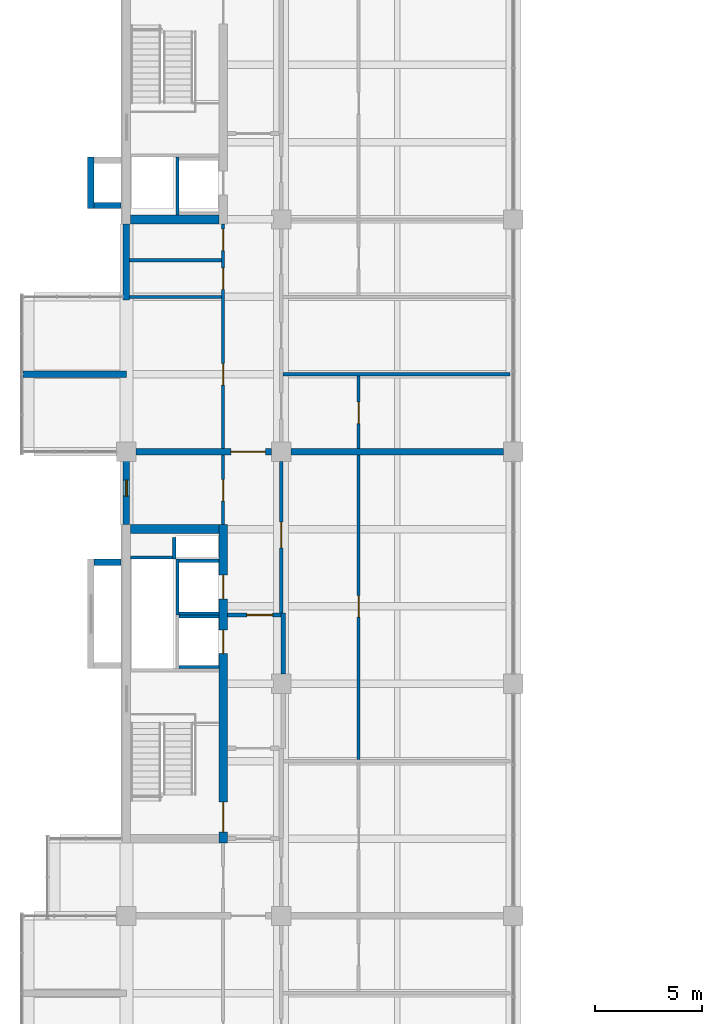
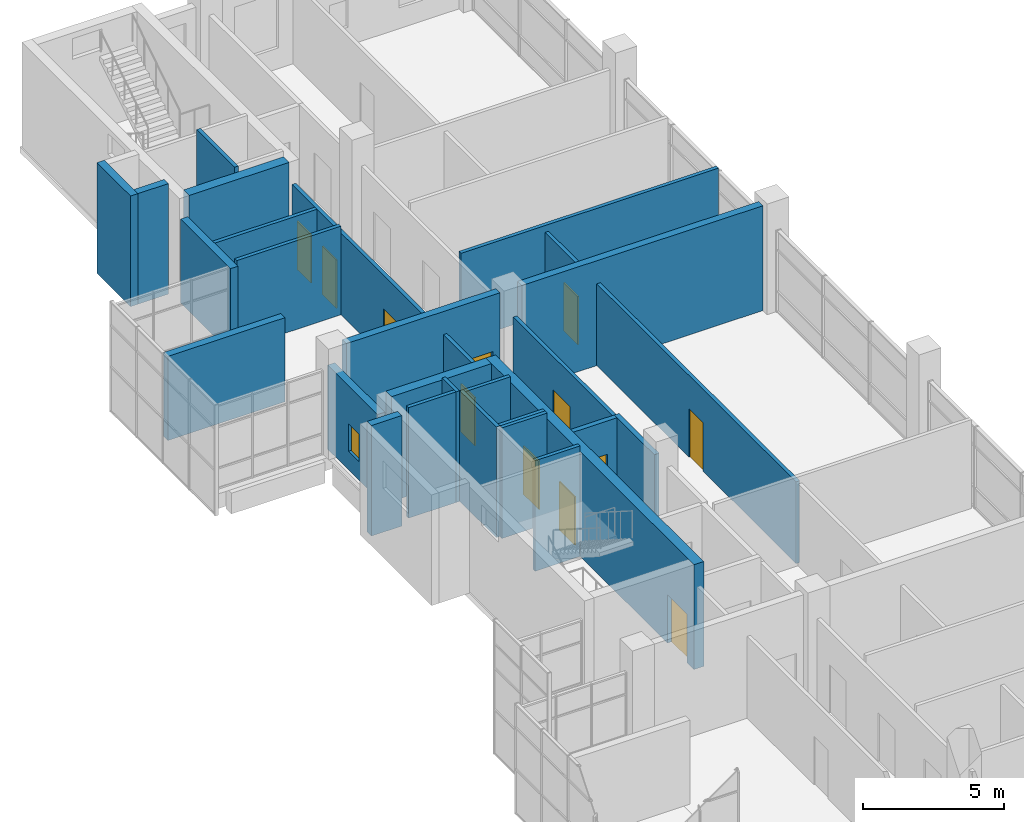
# One storey, part 17 of 23: 29 walls, 12 doors, 1 window, 13 openings.
"""IFC4 building model written with IfcOpenShell, lengths in metres."""

import ifcopenshell
import ifcopenshell.guid

model = None  # the IFC model being written
_history = None  # IfcOwnerHistory: only IFC2X3 demands one
_inside = {}  # id of a spatial element -> (the spatial element, [elements in it])
_under = {}  # id of a project, library or spatial element -> (it, [spatial elements below it])
_declared = {}  # id of a project -> (the project, [libraries it declares])
_typed = {}  # id of a type object -> (the type object, [elements of that type])
_made_of = {}  # id of a material, layer set ... -> (it, [elements and type objects made of it])


def new_model(schema):
    """Start an empty IFC model of exactly this schema.

    Asked for "IFC4X3", IfcOpenShell would pick the latest addendum, in which some entities
    have other attributes; the version numbers below select the first issue.
    IFC2X3 requires an IfcOwnerHistory on every rooted entity: one is made here for all.
    """
    global model, _history
    if schema == "IFC4X3":
        model = ifcopenshell.file(schema_version=(4, 3, 0, 0))
    else:
        model = ifcopenshell.file(schema=schema)
    _inside.clear()
    _under.clear()
    _declared.clear()
    _typed.clear()
    _made_of.clear()
    _history = None
    if model.schema == "IFC2X3":
        org = make("IfcOrganization", Name="unknown")
        user = make(
            "IfcPersonAndOrganization",
            ThePerson=make("IfcPerson", FamilyName="unknown"),
            TheOrganization=org,
        )
        app = make(
            "IfcApplication",
            ApplicationDeveloper=org,
            Version="unknown",
            ApplicationFullName="unknown",
            ApplicationIdentifier="unknown",
        )
        _history = make(
            "IfcOwnerHistory",
            OwningUser=user,
            OwningApplication=app,
            ChangeAction="ADDED",
            CreationDate=0,
        )
    return model


def make(cls, **values):
    """One entity of the class cls with the attributes given. An attribute that is None is left unset."""
    return model.create_entity(
        cls, **{name: value for name, value in values.items() if value is not None}
    )


def rooted(cls, **values):
    """An entity with a GlobalId (a new one), such as an element, a storey or a relation."""
    return make(cls, GlobalId=ifcopenshell.guid.new(), OwnerHistory=_history, **values)


def si_unit(unit_type, name, prefix=None):
    """IfcSIUnit, for example si_unit("LENGTHUNIT", "METRE", prefix="MILLI")."""
    return make("IfcSIUnit", UnitType=unit_type, Prefix=prefix, Name=name)


def assignment(units):
    """IfcUnitAssignment: the units of a project."""
    return None if units is None else make("IfcUnitAssignment", Units=units)


def point(xyz):
    """IfcCartesianPoint."""
    return None if xyz is None else make("IfcCartesianPoint", Coordinates=xyz)


def direction(xyz):
    """IfcDirection."""
    return None if xyz is None else make("IfcDirection", DirectionRatios=xyz)


def frame(location, z_axis=None, x_axis=None):
    """IfcAxis2Placement3D, a coordinate frame: its origin and axes. An axis left out is left unset."""
    return make(
        "IfcAxis2Placement3D",
        Location=point(location),
        Axis=direction(z_axis),
        RefDirection=direction(x_axis),
    )


def frame_2d(location, x_axis=None):
    """IfcAxis2Placement2D, a coordinate frame in the plane: its origin and x axis."""
    return make(
        "IfcAxis2Placement2D", Location=point(location), RefDirection=direction(x_axis)
    )


def origin():
    """The frame at (0, 0, 0) with its axes left unset."""
    return frame((0.0, 0.0, 0.0))


def place(relative_to, where):
    """IfcLocalPlacement: puts the frame where relative to a parent placement (None: the world)."""
    return make(
        "IfcLocalPlacement", PlacementRelTo=relative_to, RelativePlacement=where
    )


def context(
    kind, dimensions, precision=None, world=None, true_north=None, identifier=None
):
    """IfcGeometricRepresentationContext, for example the 3D "Model" context."""
    return make(
        "IfcGeometricRepresentationContext",
        ContextIdentifier=identifier,
        ContextType=kind,
        CoordinateSpaceDimension=dimensions,
        Precision=precision,
        WorldCoordinateSystem=world,
        TrueNorth=true_north,
    )


def subcontext(parent, identifier, kind, view, scale=None):
    """IfcGeometricRepresentationSubContext, for example "Body" below "Model"."""
    return make(
        "IfcGeometricRepresentationSubContext",
        ContextIdentifier=identifier,
        ContextType=kind,
        ParentContext=parent,
        TargetScale=scale,
        TargetView=view,
    )


def project(units=None, contexts=None):
    """IfcProject with its units and contexts."""
    return rooted(
        "IfcProject",
        Name="project",
        RepresentationContexts=contexts,
        UnitsInContext=assignment(units),
    )


def spatial(cls, under=None, at=None, **own):
    """A site, building, storey or space (cls), placed at a placement, below another one or the project."""
    s = rooted(cls, ObjectPlacement=at, **own)
    if under is not None:
        _under.setdefault(under.id(), (under, []))[1].append(s)
    return s


def profile(cls, at=None, kind="AREA", **sizes):
    """A parametric profile (cls). Its sizes go by their IFC names, for example OverallWidth=200.0."""
    return make(cls, ProfileType=kind, Position=at, **sizes)


def rectangle(**sizes):
    """IfcRectangleProfileDef."""
    return profile("IfcRectangleProfileDef", **sizes)


def extrude(swept, where, along, depth):
    """IfcExtrudedAreaSolid: the profile swept, set in the frame where, extruded along a direction by depth."""
    return make(
        "IfcExtrudedAreaSolid",
        SweptArea=swept,
        Position=where,
        ExtrudedDirection=direction(along),
        Depth=depth,
    )


def shape(context_of_items, identifier, shape_type, items):
    """IfcShapeRepresentation: the items that make up one representation, for example the "Body"."""
    return make(
        "IfcShapeRepresentation",
        ContextOfItems=context_of_items,
        RepresentationIdentifier=identifier,
        RepresentationType=shape_type,
        Items=items,
    )


def material(Name=None, Category=None):
    """IfcMaterial."""
    return make("IfcMaterial", Name=Name, Category=Category)


def layer(
    of_material, thickness, ventilated=None, Name=None, Category=None, Priority=None
):
    """IfcMaterialLayer: one layer of a wall or slab, of a material (None: an air gap)."""
    return make(
        "IfcMaterialLayer",
        Material=of_material,
        LayerThickness=thickness,
        IsVentilated=ventilated,
        Name=Name,
        Category=Category,
        Priority=Priority,
    )


def layer_set(layers, Name=None):
    """IfcMaterialLayerSet."""
    return make("IfcMaterialLayerSet", MaterialLayers=layers, LayerSetName=Name)


def made_of(thing, what):
    """Note that an element or type object is made of a material, layer set ...; save() writes the relation."""
    if what is not None:
        _made_of.setdefault(what.id(), (what, []))[1].append(thing)
    return thing


def type_object(cls, material=None, **own):
    """A type object (cls), such as IfcWallType, which elements share."""
    return made_of(rooted(cls, **own), material)


def element(
    cls,
    number,
    at=None,
    inside=None,
    cuts=None,
    type_object=None,
    material=None,
    context=None,
    identifier="Body",
    shape_type=None,
    held_by="IfcProductDefinitionShape",
    body=None,
    shapes=None,
    **own,
):
    """One element of the class cls, such as IfcWall. Its Tag is "e" and its number.

    at: its placement. inside: the storey or other place that contains it. cuts: it is an
    opening in that element (IfcRelVoidsElement). A single representation is given by context,
    identifier, shape_type and body (its items); several are given by shapes. held_by: the class
    of the entity that holds the representations. save() writes the other relations.
    """
    e = rooted(cls, Tag="e%d" % number, ObjectPlacement=at, **own)
    if body is not None:
        shapes = [shape(context, identifier, shape_type, body)]
    if shapes is not None:
        e.Representation = make(held_by, Representations=shapes)
    if inside is not None:
        _inside.setdefault(inside.id(), (inside, []))[1].append(e)
    if cuts is not None:
        rooted(
            "IfcRelVoidsElement", RelatingBuildingElement=cuts, RelatedOpeningElement=e
        )
    if type_object is not None:
        _typed.setdefault(type_object.id(), (type_object, []))[1].append(e)
    return made_of(e, material)


def fill(opening, filler):
    """IfcRelFillsElement: the door or window that sits in an opening."""
    return rooted(
        "IfcRelFillsElement",
        RelatingOpeningElement=opening,
        RelatedBuildingElement=filler,
    )


def aggregate(whole, parts):
    """IfcRelAggregates: a whole, such as a stair, and the parts it consists of."""
    return rooted("IfcRelAggregates", RelatingObject=whole, RelatedObjects=parts)


def save(model, path):
    """Write the relations noted so far, then the file.

    IfcRelAggregates (storeys below a building ...), IfcRelContainedInSpatialStructure (elements
    in a storey), IfcRelDefinesByType, IfcRelAssociatesMaterial and IfcRelDeclares: one each for
    every whole, place, type object, material and project.
    """
    for whole, parts in _under.values():
        aggregate(whole, parts)
    for where, things in _inside.values():
        rooted(
            "IfcRelContainedInSpatialStructure",
            RelatedElements=things,
            RelatingStructure=where,
        )
    for kind, things in _typed.values():
        rooted("IfcRelDefinesByType", RelatedObjects=things, RelatingType=kind)
    for what, things in _made_of.values():
        rooted("IfcRelAssociatesMaterial", RelatedObjects=things, RelatingMaterial=what)
    for by, libraries in _declared.values():
        rooted("IfcRelDeclares", RelatingContext=by, RelatedDefinitions=libraries)
    model.write(path)


model = new_model("IFC4")

# Units and contexts
model_context = context("Model", 3, precision=1e-05, world=origin(), true_north=direction((0.0, 1.0)))
body_context = subcontext(model_context, "Body", "Model", "MODEL_VIEW")
ifc_project = project(units=[si_unit("LENGTHUNIT", "METRE"), si_unit("AREAUNIT", "SQUARE_METRE"), si_unit("VOLUMEUNIT", "CUBIC_METRE"), si_unit("PLANEANGLEUNIT", "RADIAN"), si_unit("MASSUNIT", "GRAM", prefix="KILO")], contexts=[model_context])

# Site, building, storey
site_placement = place(None, origin())
site = spatial("IfcSite", under=ifc_project, at=site_placement, CompositionType="ELEMENT")
building_placement = place(site_placement, origin())
building = spatial("IfcBuilding", under=site, at=building_placement, Name="Basin Gate Institute", CompositionType="ELEMENT")
storey_placement = place(building_placement, frame((0.0, 0.0, 46.199951171875)))
storey = spatial("IfcBuildingStorey", under=building, at=storey_placement, Name="L09", CompositionType="ELEMENT", Elevation=46.199951171875)

# Wall
ifc_material_1 = material(Name="Aluminium-faced insulated panel wall", Category="aluminium")
ifc_layer_1 = layer(ifc_material_1, 0.300048828125)
ifc_layer_set_1 = layer_set([ifc_layer_1], Name="Capsule side wall EW2 EI 120")
wall_type_1 = type_object("IfcWallType", Name="Capsule side wall EW2 EI 120", PredefinedType="STANDARD", material=ifc_layer_set_1)
wall_1_placement = place(storey_placement, frame((56.39990234375, 81.89990234375, 0.0), z_axis=(0.0, 0.0, 1.0), x_axis=(1.0, 0.0, 0.0)))
element("IfcWall", 1, at=wall_1_placement, inside=storey, type_object=wall_type_1, material=ifc_layer_set_1, Name="Capsule side wall W wing L09 line 14", PredefinedType="STANDARD", context=body_context, shape_type="SweptSolid", body=[
    extrude(rectangle(XDim=4.800048828125, YDim=0.300048828125, at=frame_2d((2.39990234375, 0.0))), origin(), (0.0, 0.0, 1.0), 3.650146484375),
])

# Wall, opening, door
ifc_material_2 = material(Name="Fire-rated masonry", Category="masonry")
ifc_layer_2 = layer(ifc_material_2, 0.199951171875)
ifc_layer_set_2 = layer_set([ifc_layer_2], Name="Enclosure wall PW2 200 EI 60")
wall_type_2 = type_object("IfcWallType", Name="Enclosure wall PW2 200 EI 60", PredefinedType="PARTITIONING", material=ifc_layer_set_2)
wall_2_placement = place(storey_placement, frame((65.89990234375, 70.699951171875, 0.0), z_axis=(0.0, 0.0, 1.0), x_axis=(1.0, 0.0, 0.0)))
wall_2 = element("IfcWall", 2, at=wall_2_placement, inside=storey, type_object=wall_type_2, material=ifc_layer_set_2, Name="Emergency lift lobby wall PW2 L09", PredefinedType="PARTITIONING", context=body_context, shape_type="SweptSolid", body=[
    extrude(rectangle(XDim=2.5, YDim=0.199951171875, at=frame_2d((1.25, 0.0))), origin(), (0.0, 0.0, 1.0), 3.550048828125),
])
opening_1_placement = place(wall_2_placement, frame((0.89990234375, 0.0, 0.0)))
opening_1 = element("IfcOpeningElement", 3, at=opening_1_placement, cuts=wall_2, Name="Opening DR433", PredefinedType="OPENING", context=body_context, shape_type="SweptSolid", body=[
    extrude(rectangle(XDim=1.199951171875, YDim=2.10009765625, at=frame_2d((0.60009765625, 1.050048828125))), frame((0.0, 0.10986328125, 0.0), z_axis=(0.0, -1.0, 0.0), x_axis=(1.0, 0.0, 0.0)), (0.0, 0.0, 1.0), 0.219970703125),
])
ifc_material_3 = material(Name="Steel fire door", Category="steel")
door_type_1 = type_object("IfcDoorType", Name="FD60 Emergency lift lobby door D9", OperationType="NOTDEFINED", PredefinedType="DOOR", material=ifc_material_3)
door_1_placement = place(opening_1_placement, frame((1.199951171875, 0.0, 0.0), z_axis=(0.0, 0.0, 1.0), x_axis=(-1.0, 0.0, 0.0)))
door_1 = element("IfcDoor", 4, at=door_1_placement, inside=storey, type_object=door_type_1, material=ifc_material_3, Name="Emergency lift lobby door LF1 L09", OperationType="SINGLE_SWING_LEFT", OverallHeight=2.10009765625, OverallWidth=1.199951171875, PredefinedType="DOOR", context=body_context, shape_type="SweptSolid", body=[
    extrude(rectangle(XDim=1.199951171875, YDim=2.10009765625, at=frame_2d((0.60009765625, 1.050048828125))), frame((0.0, 0.02490234375, 0.0), z_axis=(0.0, -1.0, 0.0), x_axis=(1.0, 0.0, 0.0)), (0.0, 0.0, 1.0), 0.050048828125),
])
fill(opening_1, door_1)

# Wall
wall_3_placement = place(storey_placement, frame((68.5, 67.949951171875, 0.0), z_axis=(0.0, 0.0, 1.0), x_axis=(0.0, 1.0, 0.0)))
element("IfcWall", 5, at=wall_3_placement, inside=storey, type_object=wall_type_2, material=ifc_layer_set_2, Name="Emergency lift lobby wall PW2 L09", PredefinedType="PARTITIONING", context=body_context, shape_type="SweptSolid", body=[
    extrude(rectangle(XDim=2.85009765625, YDim=0.199951171875, at=frame_2d((1.425048828125, 0.0))), origin(), (0.0, 0.0, 1.0), 3.550048828125),
])

# Wall, opening, window
ifc_material_4 = material(Name="Aluminium-faced insulated panel wall", Category="aluminium")
ifc_layer_3 = layer(ifc_material_4, 0.300048828125)
ifc_layer_set_3 = layer_set([ifc_layer_3], Name="External wall EW1 EI 120")
wall_type_3 = type_object("IfcWallType", Name="External wall EW1 EI 120", PredefinedType="STANDARD", material=ifc_layer_set_3)
wall_4_placement = place(storey_placement, frame((61.199951171875, 74.89990234375, 0.0), z_axis=(0.0, 0.0, 1.0), x_axis=(0.0, 1.0, 0.0)))
wall_4 = element("IfcWall", 6, at=wall_4_placement, inside=storey, type_object=wall_type_3, material=ifc_layer_set_3, Name="External wall W facade L09 1", PredefinedType="STANDARD", context=body_context, shape_type="SweptSolid", body=[
    extrude(rectangle(XDim=3.550048828125, YDim=0.300048828125, at=frame_2d((1.77490234375, 0.0))), origin(), (0.0, 0.0, 1.0), 3.650146484375),
])
opening_2_placement = place(wall_4_placement, frame((1.324951171875, 0.0, 0.800048828125)))
opening_2 = element("IfcOpeningElement", 7, at=opening_2_placement, cuts=wall_4, Name="Opening WN3", PredefinedType="OPENING", context=body_context, shape_type="SweptSolid", body=[
    extrude(rectangle(XDim=0.75, YDim=1.199951171875, at=frame_2d((0.375, 0.60009765625))), frame((0.0, 0.16015625, 0.0), z_axis=(0.0, -1.0, 0.0), x_axis=(1.0, 0.0, 0.0)), (0.0, 0.0, 1.0), 0.320068359375),
])
ifc_material_5 = material(Name="Aluminium-framed double glazing", Category="aluminium")
window_type = type_object("IfcWindowType", Name="Emergency entry panel WN3", PartitioningType="SINGLE_PANEL", PredefinedType="WINDOW", material=ifc_material_5)
window_placement = place(opening_2_placement, origin())
window = element("IfcWindow", 8, at=window_placement, inside=storey, type_object=window_type, material=ifc_material_5, Name="Emergency entry panel W facade L09 bay 12", OverallHeight=1.199951171875, OverallWidth=0.75, PartitioningType="SINGLE_PANEL", PredefinedType="WINDOW", context=body_context, shape_type="SweptSolid", body=[
    extrude(rectangle(XDim=0.75, YDim=1.199951171875, at=frame_2d((0.375, 0.60009765625))), frame((0.0, 0.030029296875, 0.0), z_axis=(0.0, -1.0, 0.0), x_axis=(1.0, 0.0, 0.0)), (0.0, 0.0, 1.0), 0.06005859375),
])
fill(opening_2, window)

# Wall
wall_5_placement = place(storey_placement, frame((61.199951171875, 85.35009765625, 0.0), z_axis=(0.0, 0.0, 1.0), x_axis=(0.0, 1.0, 0.0)))
element("IfcWall", 9, at=wall_5_placement, inside=storey, type_object=wall_type_3, material=ifc_layer_set_3, Name="External wall W facade L09 2", PredefinedType="STANDARD", context=body_context, shape_type="SweptSolid", body=[
    extrude(rectangle(XDim=3.5498046875, YDim=0.300048828125, at=frame_2d((1.77490234375, 0.0))), origin(), (0.0, 0.0, 1.0), 3.650146484375),
])

# Wall, opening, door
ifc_material_6 = material(Name="Gypsum board on steel stud", Category="steel")
ifc_layer_4 = layer(ifc_material_6, 0.14990234375)
ifc_layer_set_4 = layer_set([ifc_layer_4], Name="Gypsum board on steel stud")
wall_type_4 = type_object("IfcWallType", Name="Partition PW1 150 EI 60", PredefinedType="PARTITIONING", material=ifc_layer_set_4)
wall_6_placement = place(storey_placement, frame((65.699951171875, 74.89990234375, 0.0), z_axis=(0.0, 0.0, 1.0), x_axis=(0.0, 1.0, 0.0)))
wall_6 = element("IfcWall", 10, at=wall_6_placement, inside=storey, type_object=wall_type_4, material=ifc_layer_set_4, Name="Corridor wall PW1 L09", PredefinedType="PARTITIONING", context=body_context, shape_type="SweptSolid", body=[
    extrude(rectangle(XDim=3.25, YDim=0.14990234375, at=frame_2d((1.625, 0.0))), origin(), (0.0, 0.0, 1.0), 3.550048828125),
])
opening_3_placement = place(wall_6_placement, frame((1.10009765625, 0.0, 0.0)))
opening_3 = element("IfcOpeningElement", 11, at=opening_3_placement, cuts=wall_6, Name="Opening DR418", PredefinedType="OPENING", context=body_context, shape_type="SweptSolid", body=[
    extrude(rectangle(XDim=1.0, YDim=2.10009765625, at=frame_2d((0.5, 1.050048828125))), frame((0.0, 0.0849609375, 0.0), z_axis=(0.0, -1.0, 0.0), x_axis=(1.0, 0.0, 0.0)), (0.0, 0.0, 1.0), 0.169921875),
])
ifc_material_7 = material(Name="Timber fire door", Category="wood")
door_type_2 = type_object("IfcDoorType", Name="FD30 Toilet door D3", OperationType="NOTDEFINED", PredefinedType="DOOR", material=ifc_material_7)
door_2_placement = place(opening_3_placement, origin())
door_2 = element("IfcDoor", 12, at=door_2_placement, inside=storey, type_object=door_type_2, material=ifc_material_7, Name="Door to Female WC L09", OperationType="SINGLE_SWING_LEFT", OverallHeight=2.10009765625, OverallWidth=1.0, PredefinedType="DOOR", context=body_context, shape_type="SweptSolid", body=[
    extrude(rectangle(XDim=1.0, YDim=2.10009765625, at=frame_2d((0.5, 1.050048828125))), frame((0.0, 0.02490234375, 0.0), z_axis=(0.0, -1.0, 0.0), x_axis=(1.0, 0.0, 0.0)), (0.0, 0.0, 1.0), 0.050048828125),
])
fill(opening_3, door_2)

# Wall, openings, doors
wall_7_placement = place(storey_placement, frame((65.699951171875, 78.449951171875, 0.0), z_axis=(0.0, 0.0, 1.0), x_axis=(0.0, 1.0, 0.0)))
wall_7 = element("IfcWall", 13, at=wall_7_placement, inside=storey, type_object=wall_type_4, material=ifc_layer_set_4, Name="Corridor wall PW1 L09", PredefinedType="PARTITIONING", context=body_context, shape_type="SweptSolid", body=[
    extrude(rectangle(XDim=10.449951171875, YDim=0.14990234375, at=frame_2d((5.22509765625, 0.0))), origin(), (0.0, 0.0, 1.0), 3.550048828125),
])
opening_4_placement = place(wall_7_placement, frame((7.39990234375, 0.0, 0.0)))
opening_4 = element("IfcOpeningElement", 14, at=opening_4_placement, cuts=wall_7, Name="Opening DR417", PredefinedType="OPENING", context=body_context, shape_type="SweptSolid", body=[
    extrude(rectangle(XDim=1.0, YDim=2.10009765625, at=frame_2d((0.5, 1.050048828125))), frame((0.0, 0.0849609375, 0.0), z_axis=(0.0, -1.0, 0.0), x_axis=(1.0, 0.0, 0.0)), (0.0, 0.0, 1.0), 0.169921875),
])
opening_5_placement = place(wall_7_placement, frame((9.199951171875, 0.0, 0.0)))
opening_5 = element("IfcOpeningElement", 15, at=opening_5_placement, cuts=wall_7, Name="Opening DR430", PredefinedType="OPENING", context=body_context, shape_type="SweptSolid", body=[
    extrude(rectangle(XDim=1.0, YDim=2.10009765625, at=frame_2d((0.5, 1.050048828125))), frame((0.0, 0.0849609375, 0.0), z_axis=(0.0, -1.0, 0.0), x_axis=(1.0, 0.0, 0.0)), (0.0, 0.0, 1.0), 0.169921875),
])
opening_6_placement = place(wall_7_placement, frame((2.949951171875, 0.0, 0.0)))
opening_6 = element("IfcOpeningElement", 16, at=opening_6_placement, cuts=wall_7, Name="Opening DR432", PredefinedType="OPENING", context=body_context, shape_type="SweptSolid", body=[
    extrude(rectangle(XDim=1.0, YDim=2.10009765625, at=frame_2d((0.5, 1.050048828125))), frame((0.0, 0.0849609375, 0.0), z_axis=(0.0, -1.0, 0.0), x_axis=(1.0, 0.0, 0.0)), (0.0, 0.0, 1.0), 0.169921875),
])
ifc_material_8 = material(Name="Timber fire door", Category="wood")
door_type_3 = type_object("IfcDoorType", Name="FD30 Office door D1", OperationType="NOTDEFINED", PredefinedType="DOOR", material=ifc_material_8)
door_3_placement = place(opening_6_placement, origin())
door_3 = element("IfcDoor", 17, at=door_3_placement, inside=storey, type_object=door_type_3, material=ifc_material_8, Name="Door to Write-up Office 0904 L09", OperationType="SINGLE_SWING_LEFT", OverallHeight=2.10009765625, OverallWidth=1.0, PredefinedType="DOOR", context=body_context, shape_type="SweptSolid", body=[
    extrude(rectangle(XDim=1.0, YDim=2.10009765625, at=frame_2d((0.5, 1.050048828125))), frame((0.0, 0.02490234375, 0.0), z_axis=(0.0, -1.0, 0.0), x_axis=(1.0, 0.0, 0.0)), (0.0, 0.0, 1.0), 0.050048828125),
])
fill(opening_6, door_3)
door_4_placement = place(opening_4_placement, origin())
door_4 = element("IfcDoor", 18, at=door_4_placement, inside=storey, type_object=door_type_2, material=ifc_material_7, Name="Door to Accessible WC L09", OperationType="SINGLE_SWING_RIGHT", OverallHeight=2.10009765625, OverallWidth=1.0, PredefinedType="DOOR", context=body_context, shape_type="SweptSolid", body=[
    extrude(rectangle(XDim=1.0, YDim=2.10009765625, at=frame_2d((0.5, 1.050048828125))), frame((0.0, 0.02490234375, 0.0), z_axis=(0.0, -1.0, 0.0), x_axis=(1.0, 0.0, 0.0)), (0.0, 0.0, 1.0), 0.050048828125),
])
fill(opening_4, door_4)
door_5_placement = place(opening_5_placement, origin())
door_5 = element("IfcDoor", 19, at=door_5_placement, inside=storey, type_object=door_type_2, material=ifc_material_7, Name="Door to Male WC L09", OperationType="SINGLE_SWING_RIGHT", OverallHeight=2.10009765625, OverallWidth=1.0, PredefinedType="DOOR", context=body_context, shape_type="SweptSolid", body=[
    extrude(rectangle(XDim=1.0, YDim=2.10009765625, at=frame_2d((0.5, 1.050048828125))), frame((0.0, 0.02490234375, 0.0), z_axis=(0.0, -1.0, 0.0), x_axis=(1.0, 0.0, 0.0)), (0.0, 0.0, 1.0), 0.050048828125),
])
fill(opening_5, door_5)

# Wall, opening, door
wall_8_placement = place(storey_placement, frame((68.39990234375, 70.800048828125, 0.0), z_axis=(0.0, 0.0, 1.0), x_axis=(0.0, 1.0, 0.0)))
wall_8 = element("IfcWall", 20, at=wall_8_placement, inside=storey, type_object=wall_type_4, material=ifc_layer_set_4, Name="Laboratory corridor wall PW1 L09", PredefinedType="PARTITIONING", context=body_context, shape_type="SweptSolid", body=[
    extrude(rectangle(XDim=7.050048828125, YDim=0.14990234375, at=frame_2d((3.52490234375, 0.0))), origin(), (0.0, 0.0, 1.0), 3.550048828125),
])
opening_7_placement = place(wall_8_placement, frame((3.02490234375, 0.0, 0.0)))
opening_7 = element("IfcOpeningElement", 21, at=opening_7_placement, cuts=wall_8, Name="Opening DR423", PredefinedType="OPENING", context=body_context, shape_type="SweptSolid", body=[
    extrude(rectangle(XDim=1.199951171875, YDim=2.10009765625, at=frame_2d((0.60009765625, 1.050048828125))), frame((0.0, 0.0849609375, 0.0), z_axis=(0.0, -1.0, 0.0), x_axis=(1.0, 0.0, 0.0)), (0.0, 0.0, 1.0), 0.169921875),
])
ifc_material_9 = material(Name="Timber fire door", Category="wood")
door_type_4 = type_object("IfcDoorType", Name="FD30 Laboratory door D2", OperationType="DOUBLE_DOOR_SINGLE_SWING", PredefinedType="DOOR", material=ifc_material_9)
door_6_placement = place(opening_7_placement, frame((1.199951171875, 0.0, 0.0), z_axis=(0.0, 0.0, 1.0), x_axis=(-1.0, 0.0, 0.0)))
door_6 = element("IfcDoor", 22, at=door_6_placement, inside=storey, type_object=door_type_4, material=ifc_material_9, Name="Door to Gowning Airlock 0924 L09", OperationType="DOUBLE_DOOR_SINGLE_SWING", OverallHeight=2.10009765625, OverallWidth=1.199951171875, PredefinedType="DOOR", context=body_context, shape_type="SweptSolid", body=[
    extrude(rectangle(XDim=1.199951171875, YDim=2.10009765625, at=frame_2d((0.60009765625, 1.050048828125))), frame((0.0, 0.02490234375, 0.0), z_axis=(0.0, -1.0, 0.0), x_axis=(1.0, 0.0, 0.0)), (0.0, 0.0, 1.0), 0.050048828125),
])
fill(opening_7, door_6)

wall_9_placement = place(storey_placement, frame((72.0, 63.97509765625, 0.0), z_axis=(0.0, 0.0, 1.0), x_axis=(0.0, 1.0, 0.0)))
wall_9 = element("IfcWall", 23, at=wall_9_placement, inside=storey, type_object=wall_type_4, material=ifc_layer_set_4, Name="Clean room wall PW1 L09", PredefinedType="PARTITIONING", context=body_context, shape_type="SweptSolid", body=[
    extrude(rectangle(XDim=14.1748046875, YDim=0.14990234375, at=frame_2d((7.08740234375, 0.0))), origin(), (0.0, 0.0, 1.0), 3.550048828125),
])
opening_8_placement = place(wall_9_placement, frame((6.625, 0.0, 0.0)))
opening_8 = element("IfcOpeningElement", 24, at=opening_8_placement, cuts=wall_9, Name="Opening DR415", PredefinedType="OPENING", context=body_context, shape_type="SweptSolid", body=[
    extrude(rectangle(XDim=1.0, YDim=2.10009765625, at=frame_2d((0.5, 1.050048828125))), frame((0.0, 0.0849609375, 0.0), z_axis=(0.0, -1.0, 0.0), x_axis=(1.0, 0.0, 0.0)), (0.0, 0.0, 1.0), 0.169921875),
])
ifc_material_10 = material(Name="Steel fire door", Category="steel")
door_type_5 = type_object("IfcDoorType", Name="FD30 Airlock door D5", OperationType="NOTDEFINED", PredefinedType="DOOR", material=ifc_material_10)
door_7_placement = place(opening_8_placement, frame((1.0, 0.0, 0.0), z_axis=(0.0, 0.0, 1.0), x_axis=(-1.0, 0.0, 0.0)))
door_7 = element("IfcDoor", 25, at=door_7_placement, inside=storey, type_object=door_type_5, material=ifc_material_10, Name="Clean room entry door Clean Room ISO 7 0924 L09", OperationType="SINGLE_SWING_RIGHT", OverallHeight=2.10009765625, OverallWidth=1.0, PredefinedType="DOOR", context=body_context, shape_type="SweptSolid", body=[
    extrude(rectangle(XDim=1.0, YDim=2.10009765625, at=frame_2d((0.5, 1.050048828125))), frame((0.0, 0.02490234375, 0.0), z_axis=(0.0, -1.0, 0.0), x_axis=(1.0, 0.0, 0.0)), (0.0, 0.0, 1.0), 0.050048828125),
])
fill(opening_8, door_7)

wall_10_placement = place(storey_placement, frame((72.0, 78.449951171875, 0.0), z_axis=(0.0, 0.0, 1.0), x_axis=(0.0, 1.0, 0.0)))
wall_10 = element("IfcWall", 26, at=wall_10_placement, inside=storey, type_object=wall_type_4, material=ifc_layer_set_4, Name="Clean room wall PW1 L09", PredefinedType="PARTITIONING", context=body_context, shape_type="SweptSolid", body=[
    extrude(rectangle(XDim=3.375, YDim=0.14990234375, at=frame_2d((1.6875, 0.0))), origin(), (0.0, 0.0, 1.0), 3.550048828125),
])
opening_9_placement = place(wall_10_placement, frame((1.14990234375, 0.0, 0.0)))
opening_9 = element("IfcOpeningElement", 27, at=opening_9_placement, cuts=wall_10, Name="Opening DR411", PredefinedType="OPENING", context=body_context, shape_type="SweptSolid", body=[
    extrude(rectangle(XDim=1.0, YDim=2.10009765625, at=frame_2d((0.5, 1.050048828125))), frame((0.0, 0.0849609375, 0.0), z_axis=(0.0, -1.0, 0.0), x_axis=(1.0, 0.0, 0.0)), (0.0, 0.0, 1.0), 0.169921875),
])
door_8_placement = place(opening_9_placement, frame((1.0, 0.0, 0.0), z_axis=(0.0, 0.0, 1.0), x_axis=(-1.0, 0.0, 0.0)))
door_8 = element("IfcDoor", 28, at=door_8_placement, inside=storey, type_object=door_type_5, material=ifc_material_10, Name="Clean room entry door Clean Room ISO 6 0926 L09", OperationType="SINGLE_SWING_RIGHT", OverallHeight=2.10009765625, OverallWidth=1.0, PredefinedType="DOOR", context=body_context, shape_type="SweptSolid", body=[
    extrude(rectangle(XDim=1.0, YDim=2.10009765625, at=frame_2d((0.5, 1.050048828125))), frame((0.0, 0.02490234375, 0.0), z_axis=(0.0, -1.0, 0.0), x_axis=(1.0, 0.0, 0.0)), (0.0, 0.0, 1.0), 0.050048828125),
])
fill(opening_9, door_8)

# Walls
wall_11_placement = place(storey_placement, frame((68.47509765625, 81.89990234375, 0.0), z_axis=(0.0, 0.0, 1.0), x_axis=(1.0, 0.0, 0.0)))
element("IfcWall", 29, at=wall_11_placement, inside=storey, type_object=wall_type_4, material=ifc_layer_set_4, Name="Clean room wall PW1 L09", PredefinedType="PARTITIONING", context=body_context, shape_type="SweptSolid", body=[
    extrude(rectangle(XDim=10.574951171875, YDim=0.14990234375, at=frame_2d((5.28759765625, 0.0))), origin(), (0.0, 0.0, 1.0), 3.85009765625),
])
ifc_material_11 = material(Name="Gypsum board on steel stud", Category="steel")
ifc_layer_5 = layer(ifc_material_11, 0.14990234375)
ifc_layer_set_5 = layer_set([ifc_layer_5], Name="Gypsum board on steel stud")
wall_type_5 = type_object("IfcWallType", Name="Partition PW4 150", PredefinedType="PARTITIONING", material=ifc_layer_set_5)
wall_12_placement = place(storey_placement, frame((61.35009765625, 85.5, 0.0), z_axis=(0.0, 0.0, 1.0), x_axis=(1.0, 0.0, 0.0)))
element("IfcWall", 30, at=wall_12_placement, inside=storey, type_object=wall_type_5, material=ifc_layer_set_5, Name="Toilet partition PW4 L09", PredefinedType="PARTITIONING", context=body_context, shape_type="SweptSolid", body=[
    extrude(rectangle(XDim=4.27490234375, YDim=0.14990234375, at=frame_2d((2.137451171875, 0.0))), origin(), (0.0, 0.0, 1.0), 3.85009765625),
])
wall_13_placement = place(storey_placement, frame((61.35009765625, 87.199951171875, 0.0), z_axis=(0.0, 0.0, 1.0), x_axis=(1.0, 0.0, 0.0)))
element("IfcWall", 31, at=wall_13_placement, inside=storey, type_object=wall_type_5, material=ifc_layer_set_5, Name="Toilet partition PW4 L09", PredefinedType="PARTITIONING", context=body_context, shape_type="SweptSolid", body=[
    extrude(rectangle(XDim=4.27490234375, YDim=0.14990234375, at=frame_2d((2.137451171875, 0.0))), origin(), (0.0, 0.0, 1.0), 3.550048828125),
])
ifc_material_12 = material(Name="Concrete 40 MPa", Category="concrete")
ifc_layer_6 = layer(ifc_material_12, 0.14990234375)
ifc_layer_set_6 = layer_set([ifc_layer_6], Name="Concrete 40 MPa")
wall_type_6 = type_object("IfcWallType", Name="Wall LS1 lift shaft enclosure R120", PredefinedType="SOLIDWALL", material=ifc_layer_set_6)
for number, where, z_axis, x_axis, name in (
    (32, (63.64990234375, 68.27490234375, 0.0), (0.0, 0.0, 1.0), (1.0, 0.0, 0.0), "Lift shaft enclosure LF1 L09 RL"),
    (33, (63.64990234375, 70.625, 0.0), (0.0, 0.0, 1.0), (1.0, 0.0, 0.0), "Lift shaft enclosure LF1 L09 RH"),
):
    element("IfcWall", number, at=place(storey_placement, frame(where, z_axis=z_axis, x_axis=x_axis)), inside=storey, type_object=wall_type_6, material=ifc_layer_set_6, Name=name, PredefinedType="SOLIDWALL", context=body_context, shape_type="SweptSolid", body=[
        extrude(rectangle(XDim=1.85009765625, YDim=0.14990234375, at=frame_2d((0.925048828125, 0.0))), origin(), (0.0, 0.0, 1.0), 4.800048828125),
    ])
wall_14_placement = place(storey_placement, frame((63.574951171875, 70.699951171875, 0.0), z_axis=(0.0, 0.0, 1.0), x_axis=(0.0, 1.0, 0.0)))
element("IfcWall", 34, at=wall_14_placement, inside=storey, type_object=wall_type_6, material=ifc_layer_set_6, Name="Lift shaft enclosure LP2 L09 UL", PredefinedType="SOLIDWALL", context=body_context, shape_type="SweptSolid", body=[
    extrude(rectangle(XDim=2.60009765625, YDim=0.14990234375, at=frame_2d((1.300048828125, 0.0))), origin(), (0.0, 0.0, 1.0), 4.800048828125),
])
for number, where, z_axis, x_axis, name in (
    (35, (63.64990234375, 70.77490234375, 0.0), (0.0, 0.0, 1.0), (1.0, 0.0, 0.0), "Lift shaft enclosure LP2 L09 RL"),
    (36, (63.64990234375, 73.22509765625, 0.0), (0.0, 0.0, 1.0), (1.0, 0.0, 0.0), "Lift shaft enclosure LP2 L09 RH"),
):
    element("IfcWall", number, at=place(storey_placement, frame(where, z_axis=z_axis, x_axis=x_axis)), inside=storey, type_object=wall_type_6, material=ifc_layer_set_6, Name=name, PredefinedType="SOLIDWALL", context=body_context, shape_type="SweptSolid", body=[
        extrude(rectangle(XDim=1.85009765625, YDim=0.14990234375, at=frame_2d((0.925048828125, 0.0))), origin(), (0.0, 0.0, 1.0), 4.800048828125),
    ])
wall_15_placement = place(storey_placement, frame((63.574951171875, 92.0, 0.0), z_axis=(0.0, 0.0, 1.0), x_axis=(0.0, -1.0, 0.0)))
element("IfcWall", 37, at=wall_15_placement, inside=storey, type_object=wall_type_6, material=ifc_layer_set_6, Name="Lift shaft enclosure LP3 L09 UL", PredefinedType="SOLIDWALL", context=body_context, shape_type="SweptSolid", body=[
    extrude(rectangle(XDim=2.699951171875, YDim=0.14990234375, at=frame_2d((1.35009765625, 0.0))), origin(), (0.0, 0.0, 1.0), 4.800048828125),
])
ifc_material_13 = material(Name="Concrete 40 MPa", Category="concrete")
ifc_layer_7 = layer(ifc_material_13, 0.14990234375)
ifc_layer_set_7 = layer_set([ifc_layer_7], Name="Concrete 40 MPa")
wall_type_7 = type_object("IfcWallType", Name="Wall RS1 riser shaft enclosure R120", PredefinedType="SOLIDWALL", material=ifc_layer_set_7)
wall_16_placement = place(storey_placement, frame((61.39990234375, 73.375, 0.0), z_axis=(0.0, 0.0, 1.0), x_axis=(1.0, 0.0, 0.0)))
element("IfcWall", 38, at=wall_16_placement, inside=storey, type_object=wall_type_7, material=ifc_layer_set_7, Name="Riser shaft enclosure WM L09 N", PredefinedType="SOLIDWALL", context=body_context, shape_type="SweptSolid", body=[
    extrude(rectangle(XDim=1.9501953125, YDim=0.14990234375, at=frame_2d((0.97509765625, 0.0))), origin(), (0.0, 0.0, 1.0), 4.800048828125),
])
wall_17_placement = place(storey_placement, frame((63.425048828125, 73.300048828125, 0.0), z_axis=(0.0, 0.0, 1.0), x_axis=(0.0, 1.0, 0.0)))
element("IfcWall", 39, at=wall_17_placement, inside=storey, type_object=wall_type_7, material=ifc_layer_set_7, Name="Riser shaft enclosure WM L09 W", PredefinedType="SOLIDWALL", context=body_context, shape_type="SweptSolid", body=[
    extrude(rectangle(XDim=1.0, YDim=0.14990234375, at=frame_2d((0.5, 0.0))), origin(), (0.0, 0.0, 1.0), 4.800048828125),
])
ifc_material_14 = material(Name="Concrete 50 MPa", Category="concrete")
ifc_layer_8 = layer(ifc_material_14, 0.300048828125)
ifc_layer_set_8 = layer_set([ifc_layer_8], Name="Concrete 50 MPa")
wall_type_8 = type_object("IfcWallType", Name="Wall SK1 R120", PredefinedType="SHEAR", material=ifc_layer_set_8)
wall_18_placement = place(storey_placement, frame((60.949951171875, 73.14990234375, 0.0), z_axis=(0.0, 0.0, 1.0), x_axis=(-1.0, 0.0, 0.0)))
element("IfcWall", 40, at=wall_18_placement, inside=storey, type_object=wall_type_8, material=ifc_layer_set_8, Name="Spine riser stack wall SK1 WM B L09", PredefinedType="SHEAR", context=body_context, shape_type="SweptSolid", body=[
    extrude(rectangle(XDim=1.25, YDim=0.300048828125, at=frame_2d((0.625, 0.0))), origin(), (0.0, 0.0, 1.0), 4.800048828125),
])
wall_19_placement = place(storey_placement, frame((59.550048828125, 89.60009765625, 0.0), z_axis=(0.0, 0.0, 1.0), x_axis=(0.0, 1.0, 0.0)))
element("IfcWall", 41, at=wall_19_placement, inside=storey, type_object=wall_type_8, material=ifc_layer_set_8, Name="Spine riser stack wall SK1 WN F L09", PredefinedType="SHEAR", context=body_context, shape_type="SweptSolid", body=[
    extrude(rectangle(XDim=2.39990234375, YDim=0.300048828125, at=frame_2d((1.199951171875, 0.0))), origin(), (0.0, 0.0, 1.0), 4.800048828125),
])
wall_20_placement = place(storey_placement, frame((60.949951171875, 89.75, 0.0), z_axis=(0.0, 0.0, 1.0), x_axis=(-1.0, 0.0, 0.0)))
element("IfcWall", 42, at=wall_20_placement, inside=storey, type_object=wall_type_8, material=ifc_layer_set_8, Name="Spine riser stack wall SK1 WN A L09", PredefinedType="SHEAR", context=body_context, shape_type="SweptSolid", body=[
    extrude(rectangle(XDim=1.25, YDim=0.300048828125, at=frame_2d((0.625, 0.0))), origin(), (0.0, 0.0, 1.0), 4.800048828125),
])

# Wall, openings, doors
ifc_material_15 = material(Name="Concrete 50 MPa", Category="concrete")
ifc_layer_9 = layer(ifc_material_15, 0.39990234375)
ifc_layer_set_9 = layer_set([ifc_layer_9], Name="Concrete 50 MPa")
wall_type_9 = type_object("IfcWallType", Name="Wall SW2 R120", PredefinedType="SHEAR", material=ifc_layer_set_9)
wall_21_placement = place(storey_placement, frame((65.699951171875, 60.10009765625, 0.0), z_axis=(0.0, 0.0, 1.0), x_axis=(0.0, 1.0, 0.0)))
wall_21 = element("IfcWall", 43, at=wall_21_placement, inside=storey, type_object=wall_type_9, material=ifc_layer_set_9, Name="WALL/L09/WM/C", PredefinedType="SHEAR", context=body_context, shape_type="SweptSolid", body=[
    extrude(rectangle(XDim=14.7998046875, YDim=0.39990234375, at=frame_2d((7.39990234375, 0.0))), origin(), (0.0, 0.0, 1.0), 4.550048828125),
])
opening_10_placement = place(wall_21_placement, frame((0.5, 0.0, 0.0)))
opening_10 = element("IfcOpeningElement", 44, at=opening_10_placement, cuts=wall_21, Name="Opening DS056", PredefinedType="OPENING", context=body_context, shape_type="SweptSolid", body=[
    extrude(rectangle(XDim=1.39990234375, YDim=2.10009765625, at=frame_2d((0.699951171875, 1.050048828125))), frame((0.0, 0.2099609375, 0.0), z_axis=(0.0, -1.0, 0.0), x_axis=(1.0, 0.0, 0.0)), (0.0, 0.0, 1.0), 0.419921875),
])
opening_11_placement = place(wall_21_placement, frame((8.800048828125, 0.0, 0.0)))
opening_11 = element("IfcOpeningElement", 45, at=opening_11_placement, cuts=wall_21, Name="Opening LD029", PredefinedType="OPENING", context=body_context, shape_type="SweptSolid", body=[
    extrude(rectangle(XDim=1.10009765625, YDim=2.10009765625, at=frame_2d((0.550048828125, 1.050048828125))), frame((0.0, 0.2099609375, 0.0), z_axis=(0.0, -1.0, 0.0), x_axis=(1.0, 0.0, 0.0)), (0.0, 0.0, 1.0), 0.419921875),
])
opening_12_placement = place(wall_21_placement, frame((11.35009765625, 0.0, 0.0)))
opening_12 = element("IfcOpeningElement", 46, at=opening_12_placement, cuts=wall_21, Name="Opening LD047", PredefinedType="OPENING", context=body_context, shape_type="SweptSolid", body=[
    extrude(rectangle(XDim=1.10009765625, YDim=2.10009765625, at=frame_2d((0.550048828125, 1.050048828125))), frame((0.0, 0.2099609375, 0.0), z_axis=(0.0, -1.0, 0.0), x_axis=(1.0, 0.0, 0.0)), (0.0, 0.0, 1.0), 0.419921875),
])
ifc_material_16 = material(Name="Steel fire door", Category="steel")
door_type_6 = type_object("IfcDoorType", Name="FD30 Stair enclosure door DS", OperationType="DOUBLE_DOOR_SINGLE_SWING", PredefinedType="DOOR", material=ifc_material_16)
door_9_placement = place(opening_10_placement, origin())
door_9 = element("IfcDoor", 47, at=door_9_placement, inside=storey, type_object=door_type_6, material=ifc_material_16, Name="Stair enclosure door ST-WM L09", OperationType="DOUBLE_DOOR_SINGLE_SWING", OverallHeight=2.10009765625, OverallWidth=1.39990234375, PredefinedType="DOOR", context=body_context, shape_type="SweptSolid", body=[
    extrude(rectangle(XDim=1.39990234375, YDim=2.10009765625, at=frame_2d((0.699951171875, 1.050048828125))), frame((0.0, 0.02490234375, 0.0), z_axis=(0.0, -1.0, 0.0), x_axis=(1.0, 0.0, 0.0)), (0.0, 0.0, 1.0), 0.050048828125),
])
fill(opening_10, door_9)
ifc_material_17 = material(Name="Stainless steel", Category="steel")
door_type_7 = type_object("IfcDoorType", Name="FD60 Lift landing door LD", OperationType="SLIDING_TO_LEFT", PredefinedType="DOOR", material=ifc_material_17)
door_10_placement = place(opening_11_placement, origin())
door_10 = element("IfcDoor", 48, at=door_10_placement, inside=storey, type_object=door_type_7, material=ifc_material_17, Name="Lift landing door LF1 L09", OperationType="SLIDING_TO_LEFT", OverallHeight=2.10009765625, OverallWidth=1.10009765625, PredefinedType="DOOR", context=body_context, shape_type="SweptSolid", body=[
    extrude(rectangle(XDim=1.10009765625, YDim=2.10009765625, at=frame_2d((0.550048828125, 1.050048828125))), frame((0.0, 0.02490234375, 0.0), z_axis=(0.0, -1.0, 0.0), x_axis=(1.0, 0.0, 0.0)), (0.0, 0.0, 1.0), 0.050048828125),
])
fill(opening_11, door_10)
door_11_placement = place(opening_12_placement, origin())
door_11 = element("IfcDoor", 49, at=door_11_placement, inside=storey, type_object=door_type_7, material=ifc_material_17, Name="Lift landing door LP2 L09", OperationType="SLIDING_TO_LEFT", OverallHeight=2.10009765625, OverallWidth=1.10009765625, PredefinedType="DOOR", context=body_context, shape_type="SweptSolid", body=[
    extrude(rectangle(XDim=1.10009765625, YDim=2.10009765625, at=frame_2d((0.550048828125, 1.050048828125))), frame((0.0, 0.02490234375, 0.0), z_axis=(0.0, -1.0, 0.0), x_axis=(1.0, 0.0, 0.0)), (0.0, 0.0, 1.0), 0.050048828125),
])
fill(opening_12, door_11)

# Walls
for number, where, z_axis, x_axis, name in (
    (50, (61.39990234375, 74.699951171875, 0.0), (0.0, 0.0, 1.0), (1.0, 0.0, 0.0), "WALL/L09/WM/N"),
    (51, (61.39990234375, 89.10009765625, 0.0), (0.0, 0.0, 1.0), (1.0, 0.0, 0.0), "WALL/L09/WN/S"),
):
    element("IfcWall", number, at=place(storey_placement, frame(where, z_axis=z_axis, x_axis=x_axis)), inside=storey, type_object=wall_type_9, material=ifc_layer_set_9, Name=name, PredefinedType="SHEAR", context=body_context, shape_type="SweptSolid", body=[
        extrude(rectangle(XDim=4.10009765625, YDim=0.39990234375, at=frame_2d((2.050048828125, 0.0))), origin(), (0.0, 0.0, 1.0), 4.550048828125),
    ])

# Wall, opening, door
ifc_material_18 = material(Name="Concrete 50 MPa", Category="concrete")
ifc_layer_10 = layer(ifc_material_18, 0.300048828125)
ifc_layer_set_10 = layer_set([ifc_layer_10], Name="Concrete 50 MPa")
wall_type_10 = type_object("IfcWallType", Name="Wall XW1 R120", PredefinedType="SHEAR", material=ifc_layer_set_10)
wall_22_placement = place(storey_placement, frame((61.64990234375, 78.300048828125, 0.0), z_axis=(0.0, 0.0, 1.0), x_axis=(1.0, 0.0, 0.0)))
wall_22 = element("IfcWall", 52, at=wall_22_placement, inside=storey, type_object=wall_type_10, material=ifc_layer_set_10, Name="WALL/L09/WXE/1", PredefinedType="SHEAR", context=body_context, shape_type="SweptSolid", body=[
    extrude(rectangle(XDim=6.300048828125, YDim=0.300048828125, at=frame_2d((3.14990234375, 0.0))), origin(), (0.0, 0.0, 1.0), 4.550048828125),
])
opening_13_placement = place(wall_22_placement, frame((4.41259765625, 0.0, 0.0)))
opening_13 = element("IfcOpeningElement", 53, at=opening_13_placement, cuts=wall_22, Name="Opening DR439", PredefinedType="OPENING", context=body_context, shape_type="SweptSolid", body=[
    extrude(rectangle(XDim=1.60009765625, YDim=2.10009765625, at=frame_2d((0.800048828125, 1.050048828125))), frame((0.0, 0.16015625, 0.0), z_axis=(0.0, -1.0, 0.0), x_axis=(1.0, 0.0, 0.0)), (0.0, 0.0, 1.0), 0.320068359375),
])
ifc_material_19 = material(Name="Steel fire door", Category="steel")
door_type_8 = type_object("IfcDoorType", Name="FD60 Compartment door pair D7", OperationType="DOUBLE_DOOR_SINGLE_SWING", PredefinedType="DOOR", material=ifc_material_19)
door_12_placement = place(opening_13_placement, frame((1.60009765625, 0.0, 0.0), z_axis=(0.0, 0.0, 1.0), x_axis=(-1.0, 0.0, 0.0)))
door_12 = element("IfcDoor", 54, at=door_12_placement, inside=storey, type_object=door_type_8, material=ifc_material_19, Name="Compartment door pair L09 W2 L09", OperationType="DOUBLE_DOOR_SINGLE_SWING", OverallHeight=2.10009765625, OverallWidth=1.60009765625, PredefinedType="DOOR", context=body_context, shape_type="SweptSolid", body=[
    extrude(rectangle(XDim=1.60009765625, YDim=2.10009765625, at=frame_2d((0.800048828125, 1.050048828125))), frame((0.0, 0.02490234375, 0.0), z_axis=(0.0, -1.0, 0.0), x_axis=(1.0, 0.0, 0.0)), (0.0, 0.0, 1.0), 0.050048828125),
])
fill(opening_13, door_12)

# Wall
wall_23_placement = place(storey_placement, frame((68.85009765625, 78.300048828125, 0.0), z_axis=(0.0, 0.0, 1.0), x_axis=(1.0, 0.0, 0.0)))
element("IfcWall", 55, at=wall_23_placement, inside=storey, type_object=wall_type_10, material=ifc_layer_set_10, Name="WALL/L09/WXE/2", PredefinedType="SHEAR", context=body_context, shape_type="SweptSolid", body=[
    extrude(rectangle(XDim=9.89990234375, YDim=0.300048828125, at=frame_2d((4.949951171875, 0.0))), origin(), (0.0, 0.0, 1.0), 4.550048828125),
])

save(model, "model.ifc")
